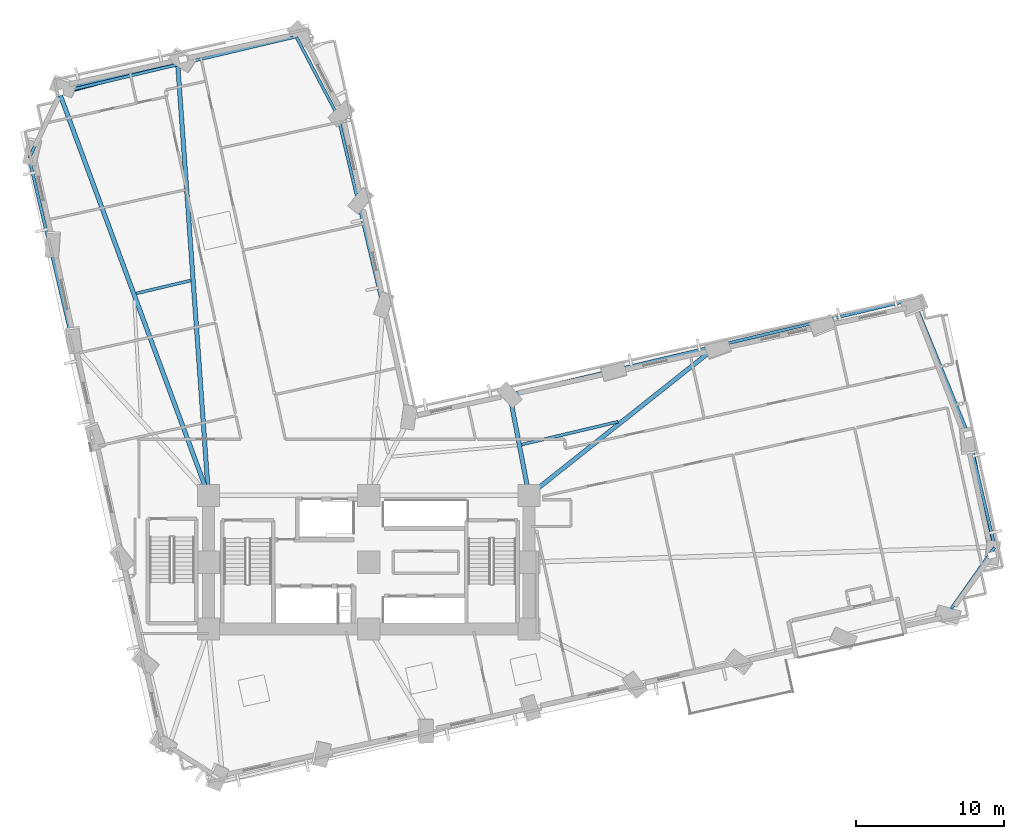
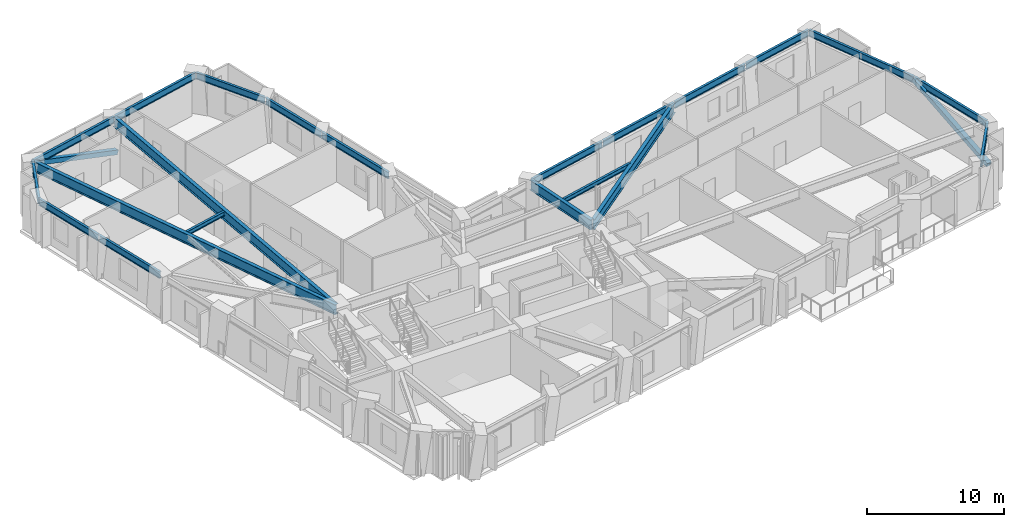
# One storey, part 2 of 14: 21 beams, 2 members.
"""IFC4 building model written with IfcOpenShell, lengths in metres."""

import ifcopenshell
import ifcopenshell.guid

model = None  # the IFC model being written
_history = None  # IfcOwnerHistory: only IFC2X3 demands one
_inside = {}  # id of a spatial element -> (the spatial element, [elements in it])
_under = {}  # id of a project, library or spatial element -> (it, [spatial elements below it])
_declared = {}  # id of a project -> (the project, [libraries it declares])
_typed = {}  # id of a type object -> (the type object, [elements of that type])
_made_of = {}  # id of a material, layer set ... -> (it, [elements and type objects made of it])


def new_model(schema):
    """Start an empty IFC model of exactly this schema.

    Asked for "IFC4X3", IfcOpenShell would pick the latest addendum, in which some entities
    have other attributes; the version numbers below select the first issue.
    IFC2X3 requires an IfcOwnerHistory on every rooted entity: one is made here for all.
    """
    global model, _history
    if schema == "IFC4X3":
        model = ifcopenshell.file(schema_version=(4, 3, 0, 0))
    else:
        model = ifcopenshell.file(schema=schema)
    _inside.clear()
    _under.clear()
    _declared.clear()
    _typed.clear()
    _made_of.clear()
    _history = None
    if model.schema == "IFC2X3":
        org = make("IfcOrganization", Name="unknown")
        user = make(
            "IfcPersonAndOrganization",
            ThePerson=make("IfcPerson", FamilyName="unknown"),
            TheOrganization=org,
        )
        app = make(
            "IfcApplication",
            ApplicationDeveloper=org,
            Version="unknown",
            ApplicationFullName="unknown",
            ApplicationIdentifier="unknown",
        )
        _history = make(
            "IfcOwnerHistory",
            OwningUser=user,
            OwningApplication=app,
            ChangeAction="ADDED",
            CreationDate=0,
        )
    return model


def make(cls, **values):
    """One entity of the class cls with the attributes given. An attribute that is None is left unset."""
    return model.create_entity(
        cls, **{name: value for name, value in values.items() if value is not None}
    )


def rooted(cls, **values):
    """An entity with a GlobalId (a new one), such as an element, a storey or a relation."""
    return make(cls, GlobalId=ifcopenshell.guid.new(), OwnerHistory=_history, **values)


def si_unit(unit_type, name, prefix=None):
    """IfcSIUnit, for example si_unit("LENGTHUNIT", "METRE", prefix="MILLI")."""
    return make("IfcSIUnit", UnitType=unit_type, Prefix=prefix, Name=name)


def assignment(units):
    """IfcUnitAssignment: the units of a project."""
    return None if units is None else make("IfcUnitAssignment", Units=units)


def point(xyz):
    """IfcCartesianPoint."""
    return None if xyz is None else make("IfcCartesianPoint", Coordinates=xyz)


def direction(xyz):
    """IfcDirection."""
    return None if xyz is None else make("IfcDirection", DirectionRatios=xyz)


def frame(location, z_axis=None, x_axis=None):
    """IfcAxis2Placement3D, a coordinate frame: its origin and axes. An axis left out is left unset."""
    return make(
        "IfcAxis2Placement3D",
        Location=point(location),
        Axis=direction(z_axis),
        RefDirection=direction(x_axis),
    )


def frame_2d(location, x_axis=None):
    """IfcAxis2Placement2D, a coordinate frame in the plane: its origin and x axis."""
    return make(
        "IfcAxis2Placement2D", Location=point(location), RefDirection=direction(x_axis)
    )


def origin():
    """The frame at (0, 0, 0) with its axes left unset."""
    return frame((0.0, 0.0, 0.0))


def origin_2d():
    """The frame at (0, 0) in the plane with its x axis left unset."""
    return frame_2d((0.0, 0.0))


def place(relative_to, where):
    """IfcLocalPlacement: puts the frame where relative to a parent placement (None: the world)."""
    return make(
        "IfcLocalPlacement", PlacementRelTo=relative_to, RelativePlacement=where
    )


def context(
    kind, dimensions, precision=None, world=None, true_north=None, identifier=None
):
    """IfcGeometricRepresentationContext, for example the 3D "Model" context."""
    return make(
        "IfcGeometricRepresentationContext",
        ContextIdentifier=identifier,
        ContextType=kind,
        CoordinateSpaceDimension=dimensions,
        Precision=precision,
        WorldCoordinateSystem=world,
        TrueNorth=true_north,
    )


def subcontext(parent, identifier, kind, view, scale=None):
    """IfcGeometricRepresentationSubContext, for example "Body" below "Model"."""
    return make(
        "IfcGeometricRepresentationSubContext",
        ContextIdentifier=identifier,
        ContextType=kind,
        ParentContext=parent,
        TargetScale=scale,
        TargetView=view,
    )


def project(units=None, contexts=None):
    """IfcProject with its units and contexts."""
    return rooted(
        "IfcProject",
        Name="project",
        RepresentationContexts=contexts,
        UnitsInContext=assignment(units),
    )


def spatial(cls, under=None, at=None, **own):
    """A site, building, storey or space (cls), placed at a placement, below another one or the project."""
    s = rooted(cls, ObjectPlacement=at, **own)
    if under is not None:
        _under.setdefault(under.id(), (under, []))[1].append(s)
    return s


def profile(cls, at=None, kind="AREA", **sizes):
    """A parametric profile (cls). Its sizes go by their IFC names, for example OverallWidth=200.0."""
    return make(cls, ProfileType=kind, Position=at, **sizes)


def hollow_rectangle(**sizes):
    """IfcRectangleHollowProfileDef."""
    return profile("IfcRectangleHollowProfileDef", **sizes)


def i_section(**sizes):
    """IfcIShapeProfileDef."""
    return profile("IfcIShapeProfileDef", **sizes)


def extrude(swept, where, along, depth):
    """IfcExtrudedAreaSolid: the profile swept, set in the frame where, extruded along a direction by depth."""
    return make(
        "IfcExtrudedAreaSolid",
        SweptArea=swept,
        Position=where,
        ExtrudedDirection=direction(along),
        Depth=depth,
    )


def shape(context_of_items, identifier, shape_type, items):
    """IfcShapeRepresentation: the items that make up one representation, for example the "Body"."""
    return make(
        "IfcShapeRepresentation",
        ContextOfItems=context_of_items,
        RepresentationIdentifier=identifier,
        RepresentationType=shape_type,
        Items=items,
    )


def material(Name=None, Category=None):
    """IfcMaterial."""
    return make("IfcMaterial", Name=Name, Category=Category)


def material_profile(
    of_material, cross_section, Name=None, Category=None, Priority=None
):
    """IfcMaterialProfile: a cross section and its material."""
    return make(
        "IfcMaterialProfile",
        Name=Name,
        Material=of_material,
        Profile=cross_section,
        Priority=Priority,
        Category=Category,
    )


def profile_set(profiles, Name=None, composite=None):
    """IfcMaterialProfileSet."""
    return make(
        "IfcMaterialProfileSet",
        Name=Name,
        MaterialProfiles=profiles,
        CompositeProfile=composite,
    )


def made_of(thing, what):
    """Note that an element or type object is made of a material, layer set ...; save() writes the relation."""
    if what is not None:
        _made_of.setdefault(what.id(), (what, []))[1].append(thing)
    return thing


def type_object(cls, material=None, **own):
    """A type object (cls), such as IfcWallType, which elements share."""
    return made_of(rooted(cls, **own), material)


def element(
    cls,
    number,
    at=None,
    inside=None,
    cuts=None,
    type_object=None,
    material=None,
    context=None,
    identifier="Body",
    shape_type=None,
    held_by="IfcProductDefinitionShape",
    body=None,
    shapes=None,
    **own,
):
    """One element of the class cls, such as IfcWall. Its Tag is "e" and its number.

    at: its placement. inside: the storey or other place that contains it. cuts: it is an
    opening in that element (IfcRelVoidsElement). A single representation is given by context,
    identifier, shape_type and body (its items); several are given by shapes. held_by: the class
    of the entity that holds the representations. save() writes the other relations.
    """
    e = rooted(cls, Tag="e%d" % number, ObjectPlacement=at, **own)
    if body is not None:
        shapes = [shape(context, identifier, shape_type, body)]
    if shapes is not None:
        e.Representation = make(held_by, Representations=shapes)
    if inside is not None:
        _inside.setdefault(inside.id(), (inside, []))[1].append(e)
    if cuts is not None:
        rooted(
            "IfcRelVoidsElement", RelatingBuildingElement=cuts, RelatedOpeningElement=e
        )
    if type_object is not None:
        _typed.setdefault(type_object.id(), (type_object, []))[1].append(e)
    return made_of(e, material)


def aggregate(whole, parts):
    """IfcRelAggregates: a whole, such as a stair, and the parts it consists of."""
    return rooted("IfcRelAggregates", RelatingObject=whole, RelatedObjects=parts)


def save(model, path):
    """Write the relations noted so far, then the file.

    IfcRelAggregates (storeys below a building ...), IfcRelContainedInSpatialStructure (elements
    in a storey), IfcRelDefinesByType, IfcRelAssociatesMaterial and IfcRelDeclares: one each for
    every whole, place, type object, material and project.
    """
    for whole, parts in _under.values():
        aggregate(whole, parts)
    for where, things in _inside.values():
        rooted(
            "IfcRelContainedInSpatialStructure",
            RelatedElements=things,
            RelatingStructure=where,
        )
    for kind, things in _typed.values():
        rooted("IfcRelDefinesByType", RelatedObjects=things, RelatingType=kind)
    for what, things in _made_of.values():
        rooted("IfcRelAssociatesMaterial", RelatedObjects=things, RelatingMaterial=what)
    for by, libraries in _declared.values():
        rooted("IfcRelDeclares", RelatingContext=by, RelatedDefinitions=libraries)
    model.write(path)


model = new_model("IFC4")

# Units and contexts
model_context = context("Model", 3, precision=1e-05, world=origin(), true_north=direction((0.0, 1.0)))
body_context = subcontext(model_context, "Body", "Model", "MODEL_VIEW")
ifc_project = project(units=[si_unit("LENGTHUNIT", "METRE"), si_unit("AREAUNIT", "SQUARE_METRE"), si_unit("VOLUMEUNIT", "CUBIC_METRE"), si_unit("PLANEANGLEUNIT", "RADIAN"), si_unit("MASSUNIT", "GRAM", prefix="KILO")], contexts=[model_context])

# Site, building, storey
site_placement = place(None, origin())
site = spatial("IfcSite", under=ifc_project, at=site_placement, CompositionType="ELEMENT")
building_placement = place(site_placement, origin())
building = spatial("IfcBuilding", under=site, at=building_placement, Name="Gaonmaruhae Medical Tower", CompositionType="ELEMENT")
storey_placement = place(building_placement, frame((0.0, 0.0, 75.0)))
storey = spatial("IfcBuildingStorey", under=building, at=storey_placement, Name="L17", CompositionType="ELEMENT", Elevation=75.0)

# Beams
ifc_material_1 = material(Name="Steel SM355", Category="steel")
ifc_material_profile_1 = material_profile(ifc_material_1, i_section(OverallWidth=0.199951171875, OverallDepth=0.39990234375, WebThickness=0.008056640625, FlangeThickness=0.012939453125, FilletRadius=0.012939453125, at=origin_2d()), Name="H-400x200x8x13")
ifc_profile_set_1 = profile_set([ifc_material_profile_1], Name="Steel SM355")
beam_type_1 = type_object("IfcBeamType", Name="FJ-01 Lower Zone Ward Floor Joist (H-400x200x8x13)", PredefinedType="JOIST", material=ifc_profile_set_1)
beam_1_placement = place(storey_placement, frame((41.607421875, 21.762939453125, 3.580078125), z_axis=(-0.973179558579, -0.230046836022, 0.0), x_axis=(0.230046836022, -0.973179558579, 0.0)))
element("IfcBeam", 1, at=beam_1_placement, inside=storey, type_object=beam_type_1, Name="L17 Secondary Floor Joist FJ05", PredefinedType="JOIST", context=body_context, shape_type="SweptSolid", body=[
    extrude(i_section(OverallWidth=0.199951171875, OverallDepth=0.39990234375, WebThickness=0.008056640625, FlangeThickness=0.012939453125, FilletRadius=0.012939453125, at=origin_2d()), origin(), (0.0, 0.0, 1.0), 6.684814453125),
])
beam_2_placement = place(storey_placement, frame((12.811767578125, 31.2783203125, 3.580078125), z_axis=(-0.973170433801, -0.230085433643, 0.0), x_axis=(0.230085433643, -0.973170433801, 0.0)))
element("IfcBeam", 2, at=beam_2_placement, inside=storey, type_object=beam_type_1, Name="L17 Secondary Floor Joist FJ09", PredefinedType="JOIST", context=body_context, shape_type="SweptSolid", body=[
    extrude(i_section(OverallWidth=0.199951171875, OverallDepth=0.39990234375, WebThickness=0.008056640625, FlangeThickness=0.012939453125, FilletRadius=0.012939453125, at=origin_2d()), origin(), (0.0, 0.0, 1.0), 3.784912109375),
])

# Members
ifc_material_2 = material(Name="Steel SM420", Category="steel")
ifc_material_profile_2 = material_profile(ifc_material_2, hollow_rectangle(XDim=0.39990234375, YDim=0.39990234375, WallThickness=0.01611328125, at=origin_2d()), Name="RHS-400x400x16")
ifc_profile_set_2 = profile_set([ifc_material_profile_2], Name="Steel SM420")
member_type = type_object("IfcMemberType", Name="PB-01 Perimeter Solid-Bay Tube Brace Lower (RHS-400x400x16)", PredefinedType="BRACE", material=ifc_profile_set_2)
member_1_placement = place(storey_placement, frame((66.791015625, 12.7705078125, 0.25), z_axis=(-0.179264772334, 0.912548527422, 0.36758580835), x_axis=(-0.98124593893, -0.192759973372, 0.0)))
element("IfcMember", 3, at=member_1_placement, inside=storey, type_object=member_type, Name="L17 Perimeter Tube Solid-Bay Brace E01-E02", PredefinedType="BRACE", context=body_context, shape_type="SweptSolid", body=[
    extrude(hollow_rectangle(XDim=0.39990234375, YDim=0.39990234375, WallThickness=0.01611328125, at=origin_2d()), origin(), (0.0, 0.0, 1.0), 8.923095703125),
])
member_2_placement = place(storey_placement, frame((12.28271484375, 46.185546875, 0.25), z_axis=(-0.902605726776, -0.24298176845, 0.355334718529), x_axis=(0.259946075987, -0.965623134343, 0.0)))
element("IfcMember", 4, at=member_2_placement, inside=storey, type_object=member_type, Name="L17 Perimeter Tube Solid-Bay Brace N02-N03", PredefinedType="BRACE", context=body_context, shape_type="SweptSolid", body=[
    extrude(hollow_rectangle(XDim=0.39990234375, YDim=0.39990234375, WallThickness=0.01611328125, at=origin_2d()), origin(), (0.0, 0.0, 1.0), 9.230712890625),
])

# Beams
ifc_material_profile_3 = material_profile(ifc_material_2, i_section(OverallWidth=0.300048828125, OverallDepth=0.89990234375, WebThickness=0.01611328125, FlangeThickness=0.028076171875, FilletRadius=0.01806640625, at=origin_2d()), Name="H-900x300x16x28")
ifc_profile_set_3 = profile_set([ifc_material_profile_3], Name="Steel SM420")
beam_type_2 = type_object("IfcBeamType", Name="PG-01 Zone 1 Radial Floor Girder (H-900x300x16x28)", PredefinedType="BEAM", material=ifc_profile_set_3)
beam_3_placement = place(storey_placement, frame((35.63916015625, 16.8310546875, 3.330078125), z_axis=(0.783263869537, 0.621689400487, 0.0), x_axis=(-0.621689400487, 0.783263869537, 0.0)))
element("IfcBeam", 5, at=beam_3_placement, inside=storey, type_object=beam_type_2, Name="L17 Radial Primary Girder EN02", PredefinedType="BEAM", context=body_context, shape_type="SweptSolid", body=[
    extrude(i_section(OverallWidth=0.300048828125, OverallDepth=0.89990234375, WebThickness=0.01611328125, FlangeThickness=0.028076171875, FilletRadius=0.01806640625, at=origin_2d()), origin(), (0.0, 0.0, 1.0), 16.131591796875),
])
beam_4_placement = place(storey_placement, frame((35.590576171875, 16.84912109375, 3.330078125), z_axis=(-0.188372095091, 0.982097731283, 0.0), x_axis=(-0.982097731283, -0.188372095091, 0.0)))
element("IfcBeam", 6, at=beam_4_placement, inside=storey, type_object=beam_type_2, Name="L17 Radial Primary Girder EN04", PredefinedType="BEAM", context=body_context, shape_type="SweptSolid", body=[
    extrude(i_section(OverallWidth=0.300048828125, OverallDepth=0.89990234375, WebThickness=0.01611328125, FlangeThickness=0.028076171875, FilletRadius=0.01806640625, at=origin_2d()), origin(), (0.0, 0.0, 1.0), 6.8017578125),
])
beam_5_placement = place(storey_placement, frame((13.996337890625, 16.849853515625, 3.330078125), z_axis=(-0.071088520531, 0.997470010701, 0.0), x_axis=(-0.997470010701, -0.071088520531, 0.0)))
element("IfcBeam", 7, at=beam_5_placement, inside=storey, type_object=beam_type_2, Name="L17 Radial Primary Girder N02", PredefinedType="BEAM", context=body_context, shape_type="SweptSolid", body=[
    extrude(i_section(OverallWidth=0.300048828125, OverallDepth=0.89990234375, WebThickness=0.01611328125, FlangeThickness=0.028076171875, FilletRadius=0.01806640625, at=origin_2d()), origin(), (0.0, 0.0, 1.0), 29.0029296875),
])
beam_6_placement = place(storey_placement, frame((13.982666015625, 16.846923828125, 3.330078125), z_axis=(-0.347202151238, 0.937790310344, 0.0), x_axis=(-0.937790310344, -0.347202151238, 0.0)))
element("IfcBeam", 8, at=beam_6_placement, inside=storey, type_object=beam_type_2, Name="L17 Radial Primary Girder N03", PredefinedType="BEAM", context=body_context, shape_type="SweptSolid", body=[
    extrude(i_section(OverallWidth=0.300048828125, OverallDepth=0.89990234375, WebThickness=0.01611328125, FlangeThickness=0.028076171875, FilletRadius=0.01806640625, at=origin_2d()), origin(), (0.0, 0.0, 1.0), 28.84326171875),
])
ifc_material_profile_4 = material_profile(ifc_material_1, i_section(OverallWidth=0.199951171875, OverallDepth=0.60009765625, WebThickness=0.010986328125, FlangeThickness=0.01708984375, FilletRadius=0.012939453125, at=origin_2d()), Name="H-600x200x11x17")
ifc_profile_set_4 = profile_set([ifc_material_profile_4], Name="Steel SM355")
beam_type_3 = type_object("IfcBeamType", Name="SP-01 Lower Perimeter Spandrel Beam (H-600x200x11x17)", PredefinedType="SPANDREL", material=ifc_profile_set_4)
beam_7_placement = place(storey_placement, frame((64.04443359375, 9.16064453125, 3.47998046875), z_axis=(0.577147552356, 0.816639885635, 0.0), x_axis=(-0.816639885635, 0.577147552356, 0.0)))
element("IfcBeam", 9, at=beam_7_placement, inside=storey, type_object=beam_type_3, Name="L17 Perimeter Spandrel Beam S08-E01", PredefinedType="SPANDREL", context=body_context, shape_type="SweptSolid", body=[
    extrude(i_section(OverallWidth=0.199951171875, OverallDepth=0.60009765625, WebThickness=0.010986328125, FlangeThickness=0.01708984375, FilletRadius=0.012939453125, at=origin_2d()), origin(), (0.0, 0.0, 1.0), 5.05615234375),
])
beam_8_placement = place(storey_placement, frame((66.9765625, 13.361572265625, 3.47998046875), z_axis=(-0.230036889837, 0.973181909673, 0.0), x_axis=(-0.973181909673, -0.230036889837, 0.0)))
element("IfcBeam", 10, at=beam_8_placement, inside=storey, type_object=beam_type_3, Name="L17 Perimeter Spandrel Beam E01-E02", PredefinedType="SPANDREL", context=body_context, shape_type="SweptSolid", body=[
    extrude(i_section(OverallWidth=0.199951171875, OverallDepth=0.60009765625, WebThickness=0.010986328125, FlangeThickness=0.01708984375, FilletRadius=0.012939453125, at=origin_2d()), origin(), (0.0, 0.0, 1.0), 7.719970703125),
])
beam_9_placement = place(storey_placement, frame((65.176513671875, 20.950439453125, 3.47998046875), z_axis=(-0.376094508007, 0.926581308384, 0.0), x_axis=(-0.926581308384, -0.376094508007, 0.0)))
element("IfcBeam", 11, at=beam_9_placement, inside=storey, type_object=beam_type_3, Name="L17 Perimeter Spandrel Beam E02-E03", PredefinedType="SPANDREL", context=body_context, shape_type="SweptSolid", body=[
    extrude(i_section(OverallWidth=0.199951171875, OverallDepth=0.60009765625, WebThickness=0.010986328125, FlangeThickness=0.01708984375, FilletRadius=0.012939453125, at=origin_2d()), origin(), (0.0, 0.0, 1.0), 9.7353515625),
])
beam_10_placement = place(storey_placement, frame((61.461181640625, 29.9990234375, 3.47998046875), z_axis=(-0.973170981639, -0.230083116493, 0.0), x_axis=(0.230083116493, -0.973170981639, 0.0)))
element("IfcBeam", 12, at=beam_10_placement, inside=storey, type_object=beam_type_3, Name="L17 Perimeter Spandrel Beam E03-EN01", PredefinedType="SPANDREL", context=body_context, shape_type="SweptSolid", body=[
    extrude(i_section(OverallWidth=0.199951171875, OverallDepth=0.60009765625, WebThickness=0.010986328125, FlangeThickness=0.01708984375, FilletRadius=0.012939453125, at=origin_2d()), origin(), (0.0, 0.0, 1.0), 6.27001953125),
])
for number, where, z_axis, x_axis, name in (
    (13, (55.281494140625, 28.5380859375, 3.47998046875), (-0.973178750773, -0.230050253301, 0.0), (0.230050253301, -0.973178750773, 0.0), "L17 Perimeter Spandrel Beam EN01-EN02"),
    (14, (48.274658203125, 26.8818359375, 3.47998046875), (-0.973178750773, -0.230050253301, 0.0), (0.230050253301, -0.973178750773, 0.0), "L17 Perimeter Spandrel Beam EN02-EN03"),
    (15, (41.267822265625, 25.225341796875, 3.47998046875), (-0.973178750773, -0.230050253301, 0.0), (0.230050253301, -0.973178750773, 0.0), "L17 Perimeter Spandrel Beam EN03-EN04"),
    (16, (25.744140625, 29.560546875, 3.47998046875), (-0.230050253301, 0.973178750773, 0.0), (-0.973178750773, -0.230050253301, 0.0), "L17 Perimeter Spandrel Beam NE01-NE02"),
):
    element("IfcBeam", number, at=place(storey_placement, frame(where, z_axis=z_axis, x_axis=x_axis)), inside=storey, type_object=beam_type_3, Name=name, PredefinedType="SPANDREL", context=body_context, shape_type="SweptSolid", body=[
        extrude(i_section(OverallWidth=0.199951171875, OverallDepth=0.60009765625, WebThickness=0.010986328125, FlangeThickness=0.01708984375, FilletRadius=0.012939453125, at=origin_2d()), origin(), (0.0, 0.0, 1.0), 7.119873046875),
    ])
beam_11_placement = place(storey_placement, frame((24.087890625, 36.5673828125, 3.47998046875), z_axis=(-0.230075873388, 0.973172694071, 0.0), x_axis=(-0.973172694071, -0.230075873388, 0.0)))
element("IfcBeam", 17, at=beam_11_placement, inside=storey, type_object=beam_type_3, Name="L17 Perimeter Spandrel Beam NE02-NE03", PredefinedType="SPANDREL", context=body_context, shape_type="SweptSolid", body=[
    extrude(i_section(OverallWidth=0.199951171875, OverallDepth=0.60009765625, WebThickness=0.010986328125, FlangeThickness=0.01708984375, FilletRadius=0.012939453125, at=origin_2d()), origin(), (0.0, 0.0, 1.0), 5.920166015625),
])
beam_12_placement = place(storey_placement, frame((22.6982421875, 42.40283203125, 3.47998046875), z_axis=(-0.464564110387, 0.88553948943, 0.0), x_axis=(-0.88553948943, -0.464564110387, 0.0)))
element("IfcBeam", 18, at=beam_12_placement, inside=storey, type_object=beam_type_3, Name="L17 Perimeter Spandrel Beam NE03-N01", PredefinedType="SPANDREL", context=body_context, shape_type="SweptSolid", body=[
    extrude(i_section(OverallWidth=0.199951171875, OverallDepth=0.60009765625, WebThickness=0.010986328125, FlangeThickness=0.01708984375, FilletRadius=0.012939453125, at=origin_2d()), origin(), (0.0, 0.0, 1.0), 5.95947265625),
])
beam_13_placement = place(storey_placement, frame((19.872314453125, 47.706298828125, 3.47998046875), z_axis=(-0.973182042876, -0.230036326311, 0.0), x_axis=(0.230036326311, -0.973182042876, 0.0)))
element("IfcBeam", 19, at=beam_13_placement, inside=storey, type_object=beam_type_3, Name="L17 Perimeter Spandrel Beam N01-N02", PredefinedType="SPANDREL", context=body_context, shape_type="SweptSolid", body=[
    extrude(i_section(OverallWidth=0.199951171875, OverallDepth=0.60009765625, WebThickness=0.010986328125, FlangeThickness=0.01708984375, FilletRadius=0.012939453125, at=origin_2d()), origin(), (0.0, 0.0, 1.0), 8.1201171875),
])
beam_14_placement = place(storey_placement, frame((11.89208984375, 45.81982421875, 3.47998046875), z_axis=(-0.973180451803, -0.230043057335, 0.0), x_axis=(0.230043057335, -0.973180451803, 0.0)))
element("IfcBeam", 20, at=beam_14_placement, inside=storey, type_object=beam_type_3, Name="L17 Perimeter Spandrel Beam N02-N03", PredefinedType="SPANDREL", context=body_context, shape_type="SweptSolid", body=[
    extrude(i_section(OverallWidth=0.199951171875, OverallDepth=0.60009765625, WebThickness=0.010986328125, FlangeThickness=0.01708984375, FilletRadius=0.012939453125, at=origin_2d()), origin(), (0.0, 0.0, 1.0), 8.119873046875),
])
beam_15_placement = place(storey_placement, frame((3.934326171875, 43.90625, 3.47998046875), z_axis=(-0.416708994404, -0.909039940807, 0.0), x_axis=(0.909039940807, -0.416708994404, 0.0)))
element("IfcBeam", 21, at=beam_15_placement, inside=storey, type_object=beam_type_3, Name="L17 Perimeter Spandrel Beam N03-W01", PredefinedType="SPANDREL", context=body_context, shape_type="SweptSolid", body=[
    extrude(i_section(OverallWidth=0.199951171875, OverallDepth=0.60009765625, WebThickness=0.010986328125, FlangeThickness=0.01708984375, FilletRadius=0.012939453125, at=origin_2d()), origin(), (0.0, 0.0, 1.0), 4.80078125),
])
beam_16_placement = place(storey_placement, frame((1.92626953125, 39.466796875, 3.47998046875), z_axis=(0.230081330637, -0.973171403861, 0.0), x_axis=(0.973171403861, 0.230081330637, 0.0)))
element("IfcBeam", 22, at=beam_16_placement, inside=storey, type_object=beam_type_3, Name="L17 Perimeter Spandrel Beam W01-W02", PredefinedType="SPANDREL", context=body_context, shape_type="SweptSolid", body=[
    extrude(i_section(OverallWidth=0.199951171875, OverallDepth=0.60009765625, WebThickness=0.010986328125, FlangeThickness=0.01708984375, FilletRadius=0.012939453125, at=origin_2d()), origin(), (0.0, 0.0, 1.0), 6.31982421875),
])
beam_17_placement = place(storey_placement, frame((3.398681640625, 33.238525390625, 3.47998046875), z_axis=(0.230057692934, -0.973176992084, 0.0), x_axis=(0.973176992084, 0.230057692934, 0.0)))
element("IfcBeam", 23, at=beam_17_placement, inside=storey, type_object=beam_type_3, Name="L17 Perimeter Spandrel Beam W02-W03", PredefinedType="SPANDREL", context=body_context, shape_type="SweptSolid", body=[
    extrude(i_section(OverallWidth=0.199951171875, OverallDepth=0.60009765625, WebThickness=0.010986328125, FlangeThickness=0.01708984375, FilletRadius=0.012939453125, at=origin_2d()), origin(), (0.0, 0.0, 1.0), 6.52001953125),
])

save(model, "model.ifc")
